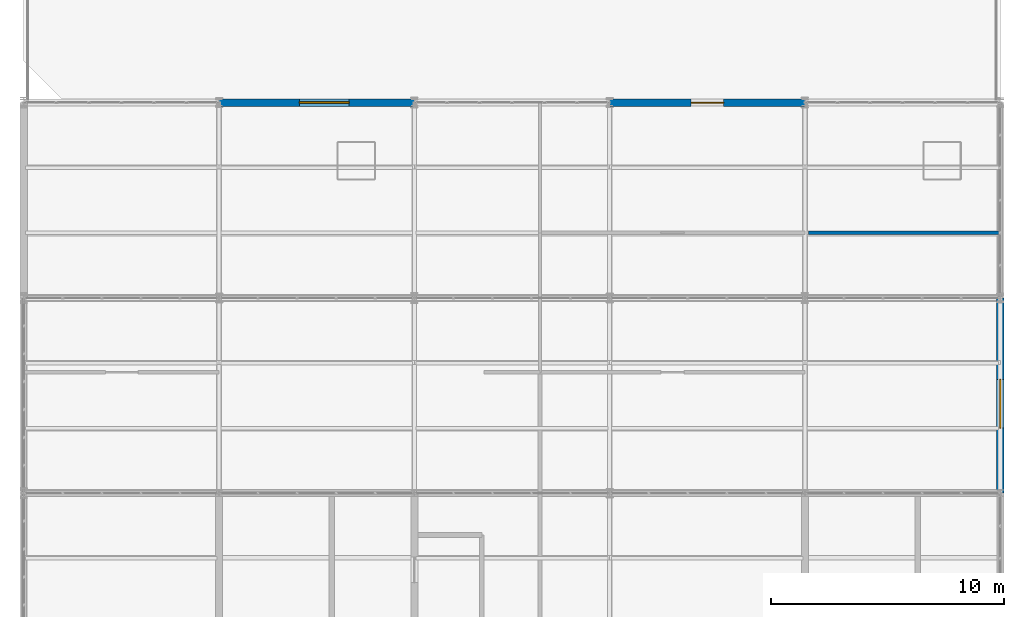
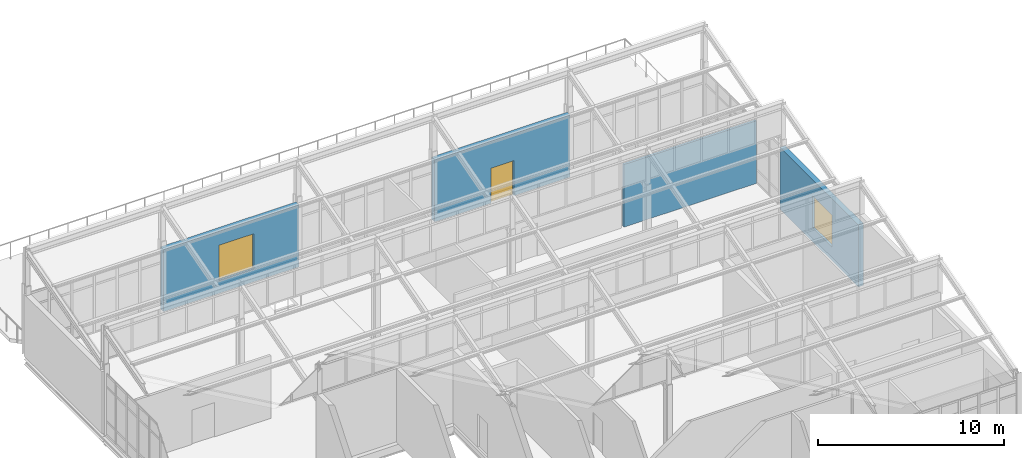
# One storey, part 51 of 53: 4 walls, 2 windows, 1 door, 3 openings.
"""IFC4 building model written with IfcOpenShell, lengths in metres."""

from ifc_helpers import new_model, si_unit, direction, frame, frame_2d, origin, place, context, subcontext, project, spatial, rectangle, extrude, material, layer, layer_set, type_object, element, fill, save


model = new_model("IFC4")

# Units and contexts
model_context = context("Model", 3, precision=1e-05, world=origin(), true_north=direction((0.0, 1.0)))
body_context = subcontext(model_context, "Body", "Model", "MODEL_VIEW")
ifc_project = project(units=[si_unit("LENGTHUNIT", "METRE"), si_unit("AREAUNIT", "SQUARE_METRE"), si_unit("VOLUMEUNIT", "CUBIC_METRE"), si_unit("PLANEANGLEUNIT", "RADIAN"), si_unit("MASSUNIT", "GRAM", prefix="KILO")], contexts=[model_context])

# Site, building, storey
site_placement = place(None, origin())
site = spatial("IfcSite", under=ifc_project, at=site_placement, CompositionType="ELEMENT")
building_placement = place(site_placement, origin())
building = spatial("IfcBuilding", under=site, at=building_placement, Name="Qalvenar Corner Mobility Hub", CompositionType="ELEMENT")
storey_placement = place(building_placement, frame((0.0, 0.0, 26.39990234375)))
storey = spatial("IfcBuildingStorey", under=building, at=storey_placement, Name="L06", CompositionType="ELEMENT", Elevation=26.39990234375)

# Wall, opening, window
ifc_material_1 = material(Name="Red Sandstone Ashlar Masonry", Category="masonry")
ifc_layer_1 = layer(ifc_material_1, 0.320068359375)
ifc_layer_set_1 = layer_set([ifc_layer_1], Name="Red Sandstone Ashlar Masonry")
wall_type_1 = type_object("IfcWallType", Name="WL-EXT-SAND320", PredefinedType="STANDARD", material=ifc_layer_set_1)
wall_1_placement = place(storey_placement, frame((16.800048828125, 33.60009765625, 0.0), z_axis=(0.0, 0.0, 1.0), x_axis=(-1.0, 0.0, 0.0)))
wall_1 = element("IfcWall", 1, at=wall_1_placement, inside=storey, type_object=wall_type_1, Name="Exterior Facade Wall EW-V3-L06-072", PredefinedType="STANDARD", context=body_context, shape_type="SweptSolid", body=[
    extrude(rectangle(XDim=8.400146484375, YDim=0.320068359375, at=frame_2d((4.2001953125, 0.0))), origin(), (0.0, 0.0, 1.0), 4.06005859375),
])
opening_1_placement = place(wall_1_placement, frame((2.800048828125, 0.0, 0.85009765625)))
opening_1 = element("IfcOpeningElement", 2, at=opening_1_placement, cuts=wall_1, Name="Opening W-30", PredefinedType="OPENING", context=body_context, shape_type="SweptSolid", body=[
    extrude(rectangle(XDim=2.14990234375, YDim=2.300048828125, at=frame_2d((1.074951171875, 1.14990234375))), frame((0.0, 0.169921875, 0.0), z_axis=(0.0, -1.0, 0.0), x_axis=(1.0, 0.0, 0.0)), (0.0, 0.0, 1.0), 0.340087890625),
])
ifc_material_2 = material(Name="Solar-Control Double-Glazed Bronze Window", Category="glass")
window_type_1 = type_object("IfcWindowType", Name="WN-CIV-215X230", PartitioningType="TRIPLE_PANEL_VERTICAL", PredefinedType="WINDOW", material=ifc_material_2)
window_1_placement = place(opening_1_placement, origin())
window_1 = element("IfcWindow", 3, at=window_1_placement, inside=storey, type_object=window_type_1, Name="Facade Window EW-V3-L06-072-W1", OverallHeight=2.300048828125, OverallWidth=2.14990234375, PartitioningType="SINGLE_PANEL", PredefinedType="WINDOW", context=body_context, shape_type="SweptSolid", body=[
    extrude(rectangle(XDim=2.14990234375, YDim=2.300048828125, at=frame_2d((1.074951171875, 1.14990234375))), frame((0.0, 0.030029296875, 0.0), z_axis=(0.0, -1.0, 0.0), x_axis=(1.0, 0.0, 0.0)), (0.0, 0.0, 1.0), 0.06005859375),
])
fill(opening_1, window_1)

# Wall, opening, door
wall_2_placement = place(storey_placement, frame((33.60009765625, 33.60009765625, 0.0), z_axis=(0.0, 0.0, 1.0), x_axis=(-1.0, 0.0, 0.0)))
wall_2 = element("IfcWall", 4, at=wall_2_placement, inside=storey, type_object=wall_type_1, Name="Exterior Facade Wall EW-V3-L06-073", PredefinedType="STANDARD", context=body_context, shape_type="SweptSolid", body=[
    extrude(rectangle(XDim=8.400146484375, YDim=0.320068359375, at=frame_2d((4.2001953125, 0.0))), origin(), (0.0, 0.0, 1.0), 4.06005859375),
])
opening_2_placement = place(wall_2_placement, frame((3.5, 0.0, 0.0)))
opening_2 = element("IfcOpeningElement", 5, at=opening_2_placement, cuts=wall_2, Name="Opening DR-273", PredefinedType="OPENING", context=body_context, shape_type="SweptSolid", body=[
    extrude(rectangle(XDim=1.39990234375, YDim=2.300048828125, at=frame_2d((0.699951171875, 1.14990234375))), frame((0.0, 0.169921875, 0.0), z_axis=(0.0, -1.0, 0.0), x_axis=(1.0, 0.0, 0.0)), (0.0, 0.0, 1.0), 0.340087890625),
])
ifc_material_3 = material(Name="Glazed Terrace Access Door", Category="aluminium")
door_type = type_object("IfcDoorType", Name="DR-EXT-TER140", OperationType="DOUBLE_DOOR_SINGLE_SWING", PredefinedType="DOOR", material=ifc_material_3)
door_placement = place(opening_2_placement, origin())
door = element("IfcDoor", 6, at=door_placement, inside=storey, type_object=door_type, Name="DR-273 Rooftop Terrace Access Door L06", OperationType="DOUBLE_DOOR_SINGLE_SWING", OverallHeight=2.300048828125, OverallWidth=1.39990234375, PredefinedType="DOOR", context=body_context, shape_type="SweptSolid", body=[
    extrude(rectangle(XDim=1.39990234375, YDim=2.300048828125, at=frame_2d((0.699951171875, 1.14990234375))), frame((0.0, 0.02490234375, 0.0), z_axis=(0.0, -1.0, 0.0), x_axis=(1.0, 0.0, 0.0)), (0.0, 0.0, 1.0), 0.050048828125),
])
fill(opening_2, door)

# Wall, opening, window
wall_3_placement = place(storey_placement, frame((42.0, 16.800048828125, 0.0), z_axis=(0.0, 0.0, 1.0), x_axis=(0.0, 1.0, 0.0)))
wall_3 = element("IfcWall", 7, at=wall_3_placement, inside=storey, type_object=wall_type_1, Name="Exterior Facade Wall EW-V3-L06-075", PredefinedType="STANDARD", context=body_context, shape_type="SweptSolid", body=[
    extrude(rectangle(XDim=8.39990234375, YDim=0.320068359375, at=frame_2d((4.199951171875, 0.0))), origin(), (0.0, 0.0, 1.0), 4.06005859375),
])
opening_3_placement = place(wall_3_placement, frame((2.800048828125, 0.0, 0.89990234375)))
opening_3 = element("IfcOpeningElement", 8, at=opening_3_placement, cuts=wall_3, Name="Opening W-12", PredefinedType="OPENING", context=body_context, shape_type="SweptSolid", body=[
    extrude(rectangle(XDim=2.10009765625, YDim=2.10009765625, at=frame_2d((1.050048828125, 1.050048828125))), frame((0.0, 0.169921875, 0.0), z_axis=(0.0, -1.0, 0.0), x_axis=(1.0, 0.0, 0.0)), (0.0, 0.0, 1.0), 0.340087890625),
])
window_type_2 = type_object("IfcWindowType", Name="WN-CON-210X210", PartitioningType="DOUBLE_PANEL_VERTICAL", PredefinedType="WINDOW", material=ifc_material_2)
window_2_placement = place(opening_3_placement, origin())
window_2 = element("IfcWindow", 9, at=window_2_placement, inside=storey, type_object=window_type_2, Name="Facade Window EW-V3-L06-075-W1", OverallHeight=2.10009765625, OverallWidth=2.10009765625, PartitioningType="SINGLE_PANEL", PredefinedType="WINDOW", context=body_context, shape_type="SweptSolid", body=[
    extrude(rectangle(XDim=2.10009765625, YDim=2.10009765625, at=frame_2d((1.050048828125, 1.050048828125))), frame((0.0, 0.030029296875, 0.0), z_axis=(0.0, -1.0, 0.0), x_axis=(1.0, 0.0, 0.0)), (0.0, 0.0, 1.0), 0.06005859375),
])
fill(opening_3, window_2)

# Wall
ifc_material_4 = material(Name="Acoustic Gypsum Stud Partition", Category="masonry")
ifc_layer_2 = layer(ifc_material_4, 0.139892578125)
ifc_layer_set_2 = layer_set([ifc_layer_2], Name="Acoustic Gypsum Stud Partition")
wall_type_2 = type_object("IfcWallType", Name="WL-INT140", PredefinedType="PARTITIONING", material=ifc_layer_set_2)
wall_4_placement = place(storey_placement, frame((33.75, 28.0, 0.0), z_axis=(0.0, 0.0, 1.0), x_axis=(1.0, 0.0, 0.0)))
element("IfcWall", 10, at=wall_4_placement, inside=storey, type_object=wall_type_2, Name="Interior Partition PRT-L06-013", PredefinedType="PARTITIONING", context=body_context, shape_type="SweptSolid", body=[
    extrude(rectangle(XDim=8.205078125, YDim=0.139892578125, at=frame_2d((4.1025390625, 0.0))), origin(), (0.0, 0.0, 1.0), 4.10009765625),
])

save(model, "model.ifc")
